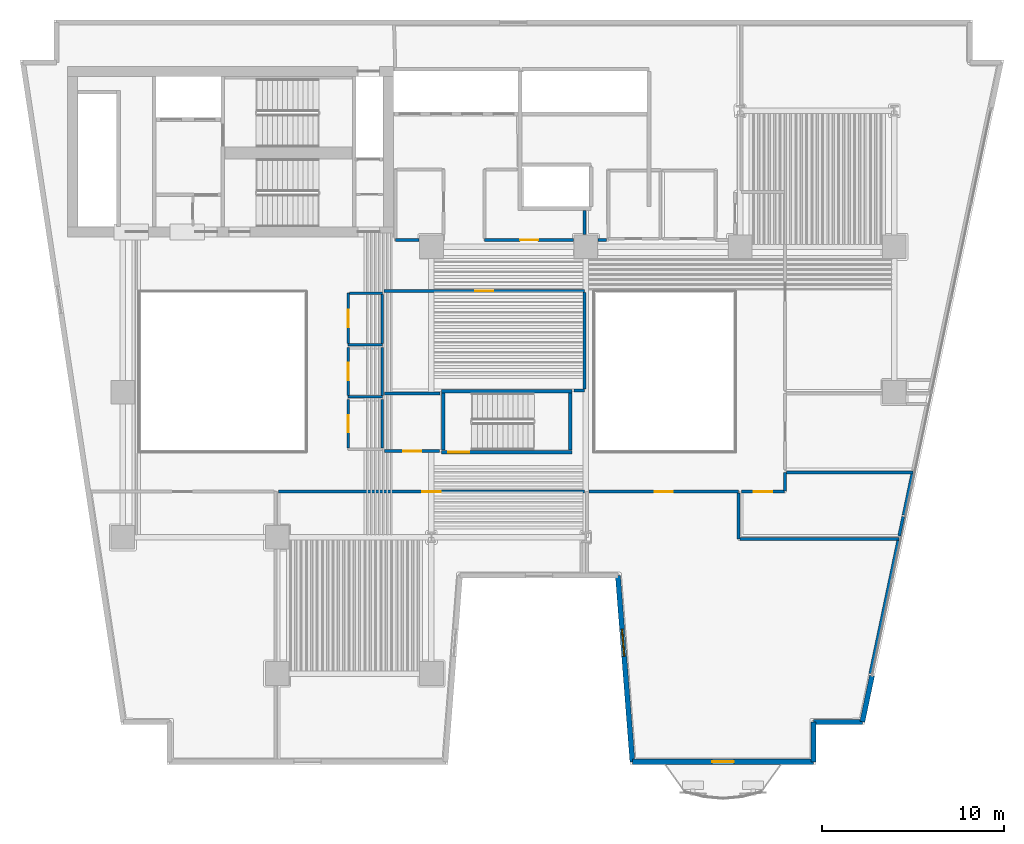
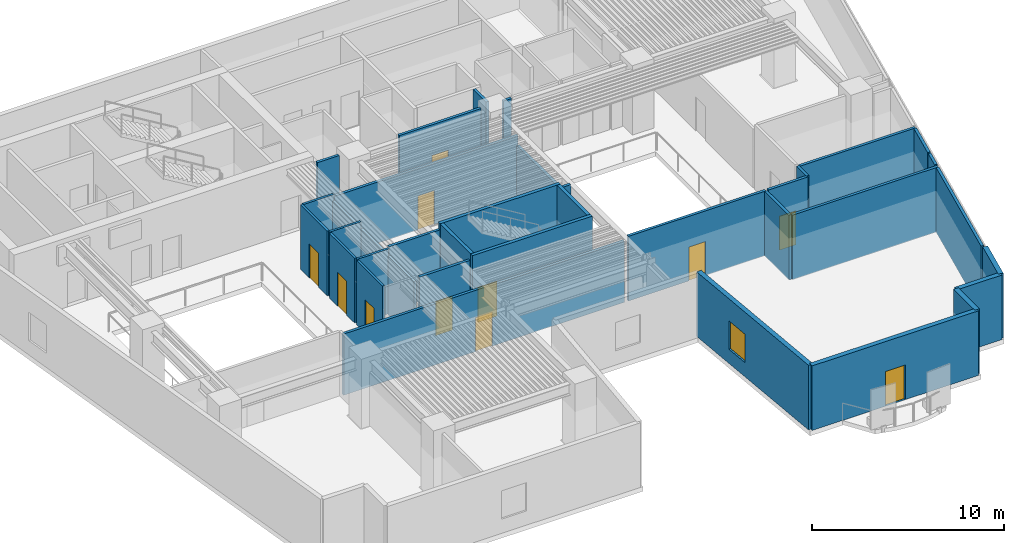
# One storey, part 4 of 12: 37 walls, 11 doors, 1 window, 12 openings.
"""IFC4 building model written with IfcOpenShell, lengths in metres."""

from ifc_helpers import new_model, si_unit, direction, frame, frame_2d, origin, place, context, subcontext, project, spatial, rectangle, extrude, material, layer, layer_set, type_object, element, fill, save


model = new_model("IFC4")

# Units and contexts
model_context = context("Model", 3, precision=1e-05, world=origin(), true_north=direction((0.0, 1.0)))
body_context = subcontext(model_context, "Body", "Model", "MODEL_VIEW")
ifc_project = project(units=[si_unit("LENGTHUNIT", "METRE"), si_unit("AREAUNIT", "SQUARE_METRE"), si_unit("VOLUMEUNIT", "CUBIC_METRE"), si_unit("PLANEANGLEUNIT", "RADIAN"), si_unit("MASSUNIT", "GRAM", prefix="KILO")], contexts=[model_context])

# Site, building, storey
site_placement = place(None, origin())
site = spatial("IfcSite", under=ifc_project, at=site_placement, CompositionType="ELEMENT")
building_placement = place(site_placement, origin())
building = spatial("IfcBuilding", under=site, at=building_placement, Name="Caeloran Harvest Quay", CompositionType="ELEMENT")
storey_placement = place(building_placement, frame((0.0, 0.0, 31.39990234375)))
storey = spatial("IfcBuildingStorey", under=building, at=storey_placement, Name="L07", CompositionType="ELEMENT", Elevation=31.39990234375)

# Walls
ifc_material_1 = material(Name="Precast concrete C50/60", Category="concrete")
ifc_layer_1 = layer(ifc_material_1, 0.280029296875, Name="Precast concrete C50/60")
ifc_layer_set_1 = layer_set([ifc_layer_1], Name="Precast concrete C50/60")
wall_type_1 = type_object("IfcWallType", Name="ENV-WALL-EW-280", PredefinedType="STANDARD", material=ifc_layer_set_1)
wall_1_placement = place(storey_placement, frame((49.77001953125, 7.384521484375, 0.0), z_axis=(0.0, 0.0, 1.0), x_axis=(-0.205551409765, -0.978646319128, 0.0)))
element("IfcWall", 1, at=wall_1_placement, inside=storey, type_object=wall_type_1, Name="L07 Exterior Facade Corner Pier Wall 9B", PredefinedType="STANDARD", context=body_context, shape_type="SweptSolid", body=[
    extrude(rectangle(XDim=2.599853515625, YDim=0.280029296875, at=frame_2d((1.2998046875, 0.0))), origin(), (0.0, 0.0, 1.0), 4.10009765625),
])
wall_2_placement = place(storey_placement, frame((49.235595703125, 4.840087890625, 0.0), z_axis=(0.0, 0.0, 1.0), x_axis=(-1.0, 0.0, 0.0)))
element("IfcWall", 2, at=wall_2_placement, inside=storey, type_object=wall_type_1, Name="L07 Exterior Precast Concrete Facade Wall 10", PredefinedType="STANDARD", context=body_context, shape_type="SweptSolid", body=[
    extrude(rectangle(XDim=2.6884765625, YDim=0.280029296875, at=frame_2d((1.34423828125, 0.0))), origin(), (0.0, 0.0, 1.0), 4.10009765625),
])
wall_3_placement = place(storey_placement, frame((46.547119140625, 4.840087890625, 0.0), z_axis=(0.0, 0.0, 1.0), x_axis=(0.0, -1.0, 0.0)))
element("IfcWall", 3, at=wall_3_placement, inside=storey, type_object=wall_type_1, Name="L07 Exterior Precast Concrete Facade Wall 11", PredefinedType="STANDARD", context=body_context, shape_type="SweptSolid", body=[
    extrude(rectangle(XDim=2.2001953125, YDim=0.280029296875, at=frame_2d((1.10009765625, 0.0))), origin(), (0.0, 0.0, 1.0), 4.10009765625),
])

# Wall, opening, door
wall_4_placement = place(storey_placement, frame((46.547119140625, 2.639892578125, 0.0), z_axis=(0.0, 0.0, 1.0), x_axis=(-1.0, 0.0, 0.0)))
wall_4 = element("IfcWall", 4, at=wall_4_placement, inside=storey, type_object=wall_type_1, Name="L07 Exterior Precast Concrete Facade Wall 12", PredefinedType="STANDARD", context=body_context, shape_type="SweptSolid", body=[
    extrude(rectangle(XDim=9.97705078125, YDim=0.280029296875, at=frame_2d((4.988525390625, 0.0))), origin(), (0.0, 0.0, 1.0), 4.10009765625),
])
opening_1_placement = place(wall_4_placement, frame((4.387939453125, 0.0, 0.0)))
opening_1 = element("IfcOpeningElement", 5, at=opening_1_placement, cuts=wall_4, Name="Opening BD-01", PredefinedType="OPENING", context=body_context, shape_type="SweptSolid", body=[
    extrude(rectangle(XDim=1.199951171875, YDim=2.199951171875, at=frame_2d((0.60009765625, 1.10009765625))), frame((0.0, 0.14990234375, 0.0), z_axis=(0.0, -1.0, 0.0), x_axis=(1.0, 0.0, 0.0)), (0.0, 0.0, 1.0), 0.300048828125),
])
ifc_material_2 = material(Name="Thermally Broken Powder-Coated Aluminium and Safety Glass", Category="aluminium")
door_type_1 = type_object("IfcDoorType", Name="EXTDOOR-BD-01", OperationType="NOTDEFINED", PredefinedType="DOOR", material=ifc_material_2)
door_1_placement = place(opening_1_placement, origin())
door_1 = element("IfcDoor", 6, at=door_1_placement, inside=storey, type_object=door_type_1, Name="L07 Planted Balcony Glazed Access Door", OperationType="SINGLE_SWING_RIGHT", OverallHeight=2.199951171875, OverallWidth=1.199951171875, PredefinedType="DOOR", context=body_context, shape_type="SweptSolid", body=[
    extrude(rectangle(XDim=1.199951171875, YDim=2.199951171875, at=frame_2d((0.60009765625, 1.10009765625))), frame((0.0, 0.02490234375, 0.0), z_axis=(0.0, -1.0, 0.0), x_axis=(1.0, 0.0, 0.0)), (0.0, 0.0, 1.0), 0.050048828125),
])
fill(opening_1, door_1)

# Wall, opening, window
wall_5_placement = place(storey_placement, frame((36.570068359375, 2.639892578125, 0.0), z_axis=(0.0, 0.0, 1.0), x_axis=(-0.077816860153, 0.996967670627, 0.0)))
wall_5 = element("IfcWall", 7, at=wall_5_placement, inside=storey, type_object=wall_type_1, Name="L07 Exterior Precast Concrete Facade Wall 13", PredefinedType="STANDARD", context=body_context, shape_type="SweptSolid", body=[
    extrude(rectangle(XDim=10.28125, YDim=0.280029296875, at=frame_2d((5.140625, 0.0))), origin(), (0.0, 0.0, 1.0), 4.10009765625),
])
opening_2_placement = place(wall_5_placement, frame((5.830078125, 0.0, 0.89990234375)))
opening_2 = element("IfcOpeningElement", 8, at=opening_2_placement, cuts=wall_5, Name="Opening W-03", PredefinedType="OPENING", context=body_context, shape_type="SweptSolid", body=[
    extrude(rectangle(XDim=1.5, YDim=1.800048828125, at=frame_2d((0.75, 0.89990234375))), frame((0.0, 0.14990234375, 0.0), z_axis=(0.0, -1.0, 0.0), x_axis=(1.0, 0.0, 0.0)), (0.0, 0.0, 1.0), 0.300048828125),
])
ifc_material_3 = material(Name="Aluminium-Framed Low-E Laminated Glass", Category="aluminium")
window_type = type_object("IfcWindowType", Name="WIN-W-03", PartitioningType="SINGLE_PANEL", PredefinedType="WINDOW", material=ifc_material_3)
window_placement = place(opening_2_placement, origin())
window = element("IfcWindow", 9, at=window_placement, inside=storey, type_object=window_type, Name="L07 Facade Punched Window W-03", OverallHeight=1.800048828125, OverallWidth=1.5, PartitioningType="SINGLE_PANEL", PredefinedType="WINDOW", context=body_context, shape_type="SweptSolid", body=[
    extrude(rectangle(XDim=1.5, YDim=1.800048828125, at=frame_2d((0.75, 0.89990234375))), frame((0.0, 0.030029296875, 0.0), z_axis=(0.0, -1.0, 0.0), x_axis=(1.0, 0.0, 0.0)), (0.0, 0.0, 1.0), 0.06005859375),
])
fill(opening_2, window)

# Wall
ifc_material_4 = material(Name="Moisture-Resistant Cement-Board Sanitary Partition", Category="gypsum")
ifc_layer_2 = layer(ifc_material_4, 0.139892578125, Name="Moisture-Resistant Cement-Board Sanitary Partition")
ifc_layer_set_2 = layer_set([ifc_layer_2], Name="Moisture-Resistant Cement-Board Sanitary Partition")
wall_type_2 = type_object("IfcWallType", Name="INT-WALL-PW-140", PredefinedType="PARTITIONING", material=ifc_layer_set_2)
wall_6_placement = place(storey_placement, frame((22.800048828125, 25.60009765625, 0.0), z_axis=(0.0, 0.0, 1.0), x_axis=(-1.0, 0.0, 0.0)))
element("IfcWall", 10, at=wall_6_placement, inside=storey, type_object=wall_type_2, Name="L07 Male Washroom WC Partition Wall", PredefinedType="PARTITIONING", context=body_context, shape_type="SweptSolid", body=[
    extrude(rectangle(XDim=1.89013671875, YDim=0.139892578125, at=frame_2d((0.945068359375, 0.0))), origin(), (0.0, 0.0, 1.0), 4.10009765625),
])

# Wall, opening, door
wall_7_placement = place(storey_placement, frame((20.909912109375, 25.675048828125, 0.0), z_axis=(0.0, 0.0, 1.0), x_axis=(0.0, 1.0, 0.0)))
wall_7 = element("IfcWall", 11, at=wall_7_placement, inside=storey, type_object=wall_type_2, Name="L07 Male Washroom WC Partition Wall", PredefinedType="PARTITIONING", context=body_context, shape_type="SweptSolid", body=[
    extrude(rectangle(XDim=2.77490234375, YDim=0.139892578125, at=frame_2d((1.387451171875, 0.0))), origin(), (0.0, 0.0, 1.0), 4.10009765625),
])
opening_3_placement = place(wall_7_placement, frame((0.91259765625, 0.0, 0.0)))
opening_3 = element("IfcOpeningElement", 12, at=opening_3_placement, cuts=wall_7, Name="Opening WC-01", PredefinedType="OPENING", context=body_context, shape_type="SweptSolid", body=[
    extrude(rectangle(XDim=0.949951171875, YDim=2.14990234375, at=frame_2d((0.47509765625, 1.074951171875))), frame((0.0, 0.080078125, 0.0), z_axis=(0.0, -1.0, 0.0), x_axis=(1.0, 0.0, 0.0)), (0.0, 0.0, 1.0), 0.159912109375),
])
ifc_material_5 = material(Name="High-Pressure Laminate Moisture-Resistant Timber", Category="wood")
door_type_2 = type_object("IfcDoorType", Name="INTDOOR-WC-01", OperationType="NOTDEFINED", PredefinedType="DOOR", material=ifc_material_5)
door_2_placement = place(opening_3_placement, origin())
door_2 = element("IfcDoor", 13, at=door_2_placement, inside=storey, type_object=door_type_2, Name="L07 Male Washroom WC Access Door", OperationType="SINGLE_SWING_LEFT", OverallHeight=2.14990234375, OverallWidth=0.949951171875, PredefinedType="DOOR", context=body_context, shape_type="SweptSolid", body=[
    extrude(rectangle(XDim=0.949951171875, YDim=2.14990234375, at=frame_2d((0.47509765625, 1.074951171875))), frame((0.0, 0.02490234375, 0.0), z_axis=(0.0, -1.0, 0.0), x_axis=(1.0, 0.0, 0.0)), (0.0, 0.0, 1.0), 0.050048828125),
])
fill(opening_3, door_2)

# Walls
wall_8_placement = place(storey_placement, frame((20.985107421875, 28.449951171875, 0.0), z_axis=(0.0, 0.0, 1.0), x_axis=(1.0, 0.0, 0.0)))
element("IfcWall", 14, at=wall_8_placement, inside=storey, type_object=wall_type_2, Name="L07 Male Washroom WC Partition Wall", PredefinedType="PARTITIONING", context=body_context, shape_type="SweptSolid", body=[
    extrude(rectangle(XDim=1.81494140625, YDim=0.139892578125, at=frame_2d((0.907470703125, 0.0))), origin(), (0.0, 0.0, 1.0), 4.10009765625),
])
wall_9_placement = place(storey_placement, frame((22.800048828125, 28.375, 0.0), z_axis=(0.0, 0.0, 1.0), x_axis=(0.0, -1.0, 0.0)))
element("IfcWall", 15, at=wall_9_placement, inside=storey, type_object=wall_type_2, Name="L07 Male Washroom WC Partition Wall", PredefinedType="PARTITIONING", context=body_context, shape_type="SweptSolid", body=[
    extrude(rectangle(XDim=2.699951171875, YDim=0.139892578125, at=frame_2d((1.35009765625, 0.0))), origin(), (0.0, 0.0, 1.0), 3.72509765625),
])
wall_10_placement = place(storey_placement, frame((22.800048828125, 22.75, 0.0), z_axis=(0.0, 0.0, 1.0), x_axis=(-1.0, 0.0, 0.0)))
element("IfcWall", 16, at=wall_10_placement, inside=storey, type_object=wall_type_2, Name="L07 Female Washroom WC Partition Wall", PredefinedType="PARTITIONING", context=body_context, shape_type="SweptSolid", body=[
    extrude(rectangle(XDim=1.89013671875, YDim=0.139892578125, at=frame_2d((0.945068359375, 0.0))), origin(), (0.0, 0.0, 1.0), 4.10009765625),
])

# Wall, opening, door
wall_11_placement = place(storey_placement, frame((20.909912109375, 22.824951171875, 0.0), z_axis=(0.0, 0.0, 1.0), x_axis=(0.0, 1.0, 0.0)))
wall_11 = element("IfcWall", 17, at=wall_11_placement, inside=storey, type_object=wall_type_2, Name="L07 Female Washroom WC Partition Wall", PredefinedType="PARTITIONING", context=body_context, shape_type="SweptSolid", body=[
    extrude(rectangle(XDim=2.625, YDim=0.139892578125, at=frame_2d((1.3125, 0.0))), origin(), (0.0, 0.0, 1.0), 4.10009765625),
])
opening_4_placement = place(wall_11_placement, frame((0.83740234375, 0.0, 0.0)))
opening_4 = element("IfcOpeningElement", 18, at=opening_4_placement, cuts=wall_11, Name="Opening WC-01", PredefinedType="OPENING", context=body_context, shape_type="SweptSolid", body=[
    extrude(rectangle(XDim=0.949951171875, YDim=2.14990234375, at=frame_2d((0.47509765625, 1.074951171875))), frame((0.0, 0.080078125, 0.0), z_axis=(0.0, -1.0, 0.0), x_axis=(1.0, 0.0, 0.0)), (0.0, 0.0, 1.0), 0.159912109375),
])
door_3_placement = place(opening_4_placement, origin())
door_3 = element("IfcDoor", 19, at=door_3_placement, inside=storey, type_object=door_type_2, Name="L07 Female Washroom WC Access Door", OperationType="SINGLE_SWING_RIGHT", OverallHeight=2.14990234375, OverallWidth=0.949951171875, PredefinedType="DOOR", context=body_context, shape_type="SweptSolid", body=[
    extrude(rectangle(XDim=0.949951171875, YDim=2.14990234375, at=frame_2d((0.47509765625, 1.074951171875))), frame((0.0, 0.02490234375, 0.0), z_axis=(0.0, -1.0, 0.0), x_axis=(1.0, 0.0, 0.0)), (0.0, 0.0, 1.0), 0.050048828125),
])
fill(opening_4, door_3)

# Wall
wall_12_placement = place(storey_placement, frame((22.800048828125, 25.449951171875, 0.0), z_axis=(0.0, 0.0, 1.0), x_axis=(0.0, -1.0, 0.0)))
element("IfcWall", 20, at=wall_12_placement, inside=storey, type_object=wall_type_2, Name="L07 Female Washroom WC Partition Wall", PredefinedType="PARTITIONING", context=body_context, shape_type="SweptSolid", body=[
    extrude(rectangle(XDim=2.625, YDim=0.139892578125, at=frame_2d((1.3125, 0.0))), origin(), (0.0, 0.0, 1.0), 3.72509765625),
])

# Wall, opening, door
wall_13_placement = place(storey_placement, frame((20.909912109375, 19.925048828125, 0.0), z_axis=(0.0, 0.0, 1.0), x_axis=(0.0, 1.0, 0.0)))
wall_13 = element("IfcWall", 21, at=wall_13_placement, inside=storey, type_object=wall_type_2, Name="L07 Accessible Unisex Washroom WC Partition Wall", PredefinedType="PARTITIONING", context=body_context, shape_type="SweptSolid", body=[
    extrude(rectangle(XDim=2.675048828125, YDim=0.139892578125, at=frame_2d((1.33740234375, 0.0))), origin(), (0.0, 0.0, 1.0), 4.10009765625),
])
opening_5_placement = place(wall_13_placement, frame((0.862548828125, 0.0, 0.0)))
opening_5 = element("IfcOpeningElement", 22, at=opening_5_placement, cuts=wall_13, Name="Opening WC-01", PredefinedType="OPENING", context=body_context, shape_type="SweptSolid", body=[
    extrude(rectangle(XDim=0.949951171875, YDim=2.14990234375, at=frame_2d((0.47509765625, 1.074951171875))), frame((0.0, 0.080078125, 0.0), z_axis=(0.0, -1.0, 0.0), x_axis=(1.0, 0.0, 0.0)), (0.0, 0.0, 1.0), 0.159912109375),
])
door_4_placement = place(opening_5_placement, origin())
door_4 = element("IfcDoor", 23, at=door_4_placement, inside=storey, type_object=door_type_2, Name="L07 Accessible Unisex Washroom WC Access Door", OperationType="SINGLE_SWING_LEFT", OverallHeight=2.14990234375, OverallWidth=0.949951171875, PredefinedType="DOOR", context=body_context, shape_type="SweptSolid", body=[
    extrude(rectangle(XDim=0.949951171875, YDim=2.14990234375, at=frame_2d((0.47509765625, 1.074951171875))), frame((0.0, 0.02490234375, 0.0), z_axis=(0.0, -1.0, 0.0), x_axis=(1.0, 0.0, 0.0)), (0.0, 0.0, 1.0), 0.050048828125),
])
fill(opening_5, door_4)

# Wall
wall_14_placement = place(storey_placement, frame((22.800048828125, 22.60009765625, 0.0), z_axis=(0.0, 0.0, 1.0), x_axis=(0.0, -1.0, 0.0)))
element("IfcWall", 24, at=wall_14_placement, inside=storey, type_object=wall_type_2, Name="L07 Accessible Unisex Washroom WC Partition Wall", PredefinedType="PARTITIONING", context=body_context, shape_type="SweptSolid", body=[
    extrude(rectangle(XDim=2.675048828125, YDim=0.139892578125, at=frame_2d((1.33740234375, 0.0))), origin(), (0.0, 0.0, 1.0), 3.72509765625),
])

# Wall, opening, door
ifc_material_6 = material(Name="Autoclaved Aerated Concrete Blockwork", Category="masonry")
ifc_layer_3 = layer(ifc_material_6, 0.1650390625, Name="Autoclaved Aerated Concrete Blockwork")
ifc_layer_set_3 = layer_set([ifc_layer_3], Name="Autoclaved Aerated Concrete Blockwork")
wall_type_3 = type_object("IfcWallType", Name="INT-WALL-PW-165", PredefinedType="PARTITIONING", material=ifc_layer_set_3)
wall_15_placement = place(storey_placement, frame((34.16748046875, 17.52001953125, 0.0), z_axis=(0.0, 0.0, 1.0), x_axis=(1.0, 0.0, 0.0)))
wall_15 = element("IfcWall", 25, at=wall_15_placement, inside=storey, type_object=wall_type_3, Name="Leafy-Greens Hydroponic Growing Hall Partition Wall", PredefinedType="PARTITIONING", context=body_context, shape_type="SweptSolid", body=[
    extrude(rectangle(XDim=8.25244140625, YDim=0.1650390625, at=frame_2d((4.126220703125, 0.0))), origin(), (0.0, 0.0, 1.0), 4.10009765625),
])
opening_6_placement = place(wall_15_placement, frame((3.626220703125, 0.0, 0.0)))
opening_6 = element("IfcOpeningElement", 26, at=opening_6_placement, cuts=wall_15, Name="Opening ID-01", PredefinedType="OPENING", context=body_context, shape_type="SweptSolid", body=[
    extrude(rectangle(XDim=1.0, YDim=2.14990234375, at=frame_2d((0.5, 1.074951171875))), frame((0.0, 0.092529296875, 0.0), z_axis=(0.0, -1.0, 0.0), x_axis=(1.0, 0.0, 0.0)), (0.0, 0.0, 1.0), 0.18505859375),
])
ifc_material_7 = material(Name="FSC Solid-Core Ash Timber and Acoustic Seal", Category="wood")
door_type_3 = type_object("IfcDoorType", Name="INTDOOR-ID-01", OperationType="NOTDEFINED", PredefinedType="DOOR", material=ifc_material_7)
door_5_placement = place(opening_6_placement, origin())
door_5 = element("IfcDoor", 27, at=door_5_placement, inside=storey, type_object=door_type_3, Name="Leafy-Greens Hydroponic Growing Hall Access Door", OperationType="SINGLE_SWING_RIGHT", OverallHeight=2.14990234375, OverallWidth=1.0, PredefinedType="DOOR", context=body_context, shape_type="SweptSolid", body=[
    extrude(rectangle(XDim=1.0, YDim=2.14990234375, at=frame_2d((0.5, 1.074951171875))), frame((0.0, 0.02490234375, 0.0), z_axis=(0.0, -1.0, 0.0), x_axis=(1.0, 0.0, 0.0)), (0.0, 0.0, 1.0), 0.050048828125),
])
fill(opening_6, door_5)

# Walls
wall_16_placement = place(storey_placement, frame((42.419921875, 17.4326171875, 0.0), z_axis=(0.0, 0.0, 1.0), x_axis=(0.0, -1.0, 0.0)))
element("IfcWall", 28, at=wall_16_placement, inside=storey, type_object=wall_type_3, Name="Leafy-Greens Hydroponic Growing Hall Partition Wall", PredefinedType="PARTITIONING", context=body_context, shape_type="SweptSolid", body=[
    extrude(rectangle(XDim=2.5126953125, YDim=0.1650390625, at=frame_2d((1.25634765625, 0.0))), origin(), (0.0, 0.0, 1.0), 4.10009765625),
])
wall_17_placement = place(storey_placement, frame((42.507568359375, 14.919921875, 0.0), z_axis=(0.0, 0.0, 1.0), x_axis=(1.0, 0.0, 0.0)))
element("IfcWall", 29, at=wall_17_placement, inside=storey, type_object=wall_type_3, Name="Leafy-Greens Hydroponic Growing Hall Partition Wall", PredefinedType="PARTITIONING", context=body_context, shape_type="SweptSolid", body=[
    extrude(rectangle(XDim=8.73828125, YDim=0.1650390625, at=frame_2d((4.369140625, 0.0))), origin(), (0.0, 0.0, 1.0), 4.10009765625),
])
wall_18_placement = place(storey_placement, frame((51.211669921875, 14.83251953125, 0.0), z_axis=(0.0, 0.0, 1.0), x_axis=(-0.205558750788, -0.978644777217, 0.0)))
element("IfcWall", 30, at=wall_18_placement, inside=storey, type_object=wall_type_3, Name="Leafy-Greens Hydroponic Growing Hall Partition Wall", PredefinedType="PARTITIONING", context=body_context, shape_type="SweptSolid", body=[
    extrude(rectangle(XDim=7.49072265625, YDim=0.1650390625, at=frame_2d((3.745361328125, 0.0))), origin(), (0.0, 0.0, 1.0), 4.10009765625),
])

# Wall, opening, door
wall_19_placement = place(storey_placement, frame((17.080078125, 17.52001953125, 0.0), z_axis=(0.0, 0.0, 1.0), x_axis=(1.0, 0.0, 0.0)))
wall_19 = element("IfcWall", 31, at=wall_19_placement, inside=storey, type_object=wall_type_3, Name="Seedling Nursery Room Partition Wall", PredefinedType="PARTITIONING", context=body_context, shape_type="SweptSolid", body=[
    extrude(rectangle(XDim=16.83984375, YDim=0.1650390625, at=frame_2d((8.419921875, 0.0))), origin(), (0.0, 0.0, 1.0), 3.885009765625),
])
opening_7_placement = place(wall_19_placement, frame((7.919921875, 0.0, 0.0)))
opening_7 = element("IfcOpeningElement", 32, at=opening_7_placement, cuts=wall_19, Name="Opening ID-01", PredefinedType="OPENING", context=body_context, shape_type="SweptSolid", body=[
    extrude(rectangle(XDim=1.0, YDim=2.14990234375, at=frame_2d((0.5, 1.074951171875))), frame((0.0, 0.092529296875, 0.0), z_axis=(0.0, -1.0, 0.0), x_axis=(1.0, 0.0, 0.0)), (0.0, 0.0, 1.0), 0.18505859375),
])
door_6_placement = place(opening_7_placement, origin())
door_6 = element("IfcDoor", 33, at=door_6_placement, inside=storey, type_object=door_type_3, Name="Seedling Nursery Room Access Door", OperationType="SINGLE_SWING_RIGHT", OverallHeight=2.14990234375, OverallWidth=1.0, PredefinedType="DOOR", context=body_context, shape_type="SweptSolid", body=[
    extrude(rectangle(XDim=1.0, YDim=2.14990234375, at=frame_2d((0.5, 1.074951171875))), frame((0.0, 0.02490234375, 0.0), z_axis=(0.0, -1.0, 0.0), x_axis=(1.0, 0.0, 0.0)), (0.0, 0.0, 1.0), 0.050048828125),
])
fill(opening_7, door_6)

# Walls
wall_20_placement = place(storey_placement, frame((44.97998046875, 17.550048828125, 0.0), z_axis=(0.0, 0.0, 1.0), x_axis=(0.0, 1.0, 0.0)))
element("IfcWall", 34, at=wall_20_placement, inside=storey, type_object=wall_type_3, Name="Nutrient QA Laboratory Partition Wall", PredefinedType="PARTITIONING", context=body_context, shape_type="SweptSolid", body=[
    extrude(rectangle(XDim=1.02001953125, YDim=0.1650390625, at=frame_2d((0.510009765625, 0.0))), origin(), (0.0, 0.0, 1.0), 4.10009765625),
])
wall_21_placement = place(storey_placement, frame((45.0673828125, 18.570068359375, 0.0), z_axis=(0.0, 0.0, 1.0), x_axis=(1.0, 0.0, 0.0)))
element("IfcWall", 35, at=wall_21_placement, inside=storey, type_object=wall_type_3, Name="Nutrient QA Laboratory Partition Wall", PredefinedType="PARTITIONING", context=body_context, shape_type="SweptSolid", body=[
    extrude(rectangle(XDim=6.945068359375, YDim=0.1650390625, at=frame_2d((3.47265625, 0.0))), origin(), (0.0, 0.0, 1.0), 4.10009765625),
])
wall_22_placement = place(storey_placement, frame((51.978515625, 18.482421875, 0.0), z_axis=(0.0, 0.0, 1.0), x_axis=(-0.205352569868, -0.978688061666, 0.0)))
element("IfcWall", 36, at=wall_22_placement, inside=storey, type_object=wall_type_3, Name="Nutrient QA Laboratory Partition Wall", PredefinedType="PARTITIONING", context=body_context, shape_type="SweptSolid", body=[
    extrude(rectangle(XDim=2.300537109375, YDim=0.1650390625, at=frame_2d((1.150390625, 0.0))), origin(), (0.0, 0.0, 1.0), 4.10009765625),
])
wall_23_placement = place(storey_placement, frame((51.486572265625, 16.138427734375, 0.0), z_axis=(0.0, 0.0, 1.0), x_axis=(-0.205873957853, -0.978578516767, 0.0)))
element("IfcWall", 37, at=wall_23_placement, inside=storey, type_object=wall_type_3, Name="Nutrient QA Laboratory Partition Wall", PredefinedType="PARTITIONING", context=body_context, shape_type="SweptSolid", body=[
    extrude(rectangle(XDim=1.08154296875, YDim=0.1650390625, at=frame_2d((0.540771484375, 0.0))), origin(), (0.0, 0.0, 1.0), 4.10009765625),
])

# Wall, opening, door
wall_24_placement = place(storey_placement, frame((42.580078125, 17.52001953125, 0.0), z_axis=(0.0, 0.0, 1.0), x_axis=(1.0, 0.0, 0.0)))
wall_24 = element("IfcWall", 38, at=wall_24_placement, inside=storey, type_object=wall_type_3, Name="Nutrient QA Laboratory Partition Wall", PredefinedType="PARTITIONING", context=body_context, shape_type="SweptSolid", body=[
    extrude(rectangle(XDim=2.369873046875, YDim=0.1650390625, at=frame_2d((1.18505859375, 0.0))), origin(), (0.0, 0.0, 1.0), 4.10009765625),
])
opening_8_placement = place(wall_24_placement, frame((0.68505859375, 0.0, 0.0)))
opening_8 = element("IfcOpeningElement", 39, at=opening_8_placement, cuts=wall_24, Name="Opening ID-01", PredefinedType="OPENING", context=body_context, shape_type="SweptSolid", body=[
    extrude(rectangle(XDim=1.0, YDim=2.14990234375, at=frame_2d((0.5, 1.074951171875))), frame((0.0, 0.092529296875, 0.0), z_axis=(0.0, -1.0, 0.0), x_axis=(1.0, 0.0, 0.0)), (0.0, 0.0, 1.0), 0.18505859375),
])
door_7_placement = place(opening_8_placement, origin())
door_7 = element("IfcDoor", 40, at=door_7_placement, inside=storey, type_object=door_type_3, Name="Nutrient QA Laboratory Access Door", OperationType="SINGLE_SWING_LEFT", OverallHeight=2.14990234375, OverallWidth=1.0, PredefinedType="DOOR", context=body_context, shape_type="SweptSolid", body=[
    extrude(rectangle(XDim=1.0, YDim=2.14990234375, at=frame_2d((0.5, 1.074951171875))), frame((0.0, 0.02490234375, 0.0), z_axis=(0.0, -1.0, 0.0), x_axis=(1.0, 0.0, 0.0)), (0.0, 0.0, 1.0), 0.050048828125),
])
fill(opening_8, door_7)

wall_25_placement = place(storey_placement, frame((25.95556640625, 19.75, 0.0), z_axis=(0.0, 0.0, 1.0), x_axis=(-1.0, 0.0, 0.0)))
wall_25 = element("IfcWall", 41, at=wall_25_placement, inside=storey, type_object=wall_type_3, Name="Agronomist Office Partition Wall", PredefinedType="PARTITIONING", context=body_context, shape_type="SweptSolid", body=[
    extrude(rectangle(XDim=3.045654296875, YDim=0.1650390625, at=frame_2d((1.52294921875, 0.0))), origin(), (0.0, 0.0, 1.0), 4.10009765625),
])
opening_9_placement = place(wall_25_placement, frame((1.022705078125, 0.0, 0.0)))
opening_9 = element("IfcOpeningElement", 42, at=opening_9_placement, cuts=wall_25, Name="Opening ID-01", PredefinedType="OPENING", context=body_context, shape_type="SweptSolid", body=[
    extrude(rectangle(XDim=1.0, YDim=2.14990234375, at=frame_2d((0.5, 1.074951171875))), frame((0.0, 0.092529296875, 0.0), z_axis=(0.0, -1.0, 0.0), x_axis=(1.0, 0.0, 0.0)), (0.0, 0.0, 1.0), 0.18505859375),
])
door_8_placement = place(opening_9_placement, origin())
door_8 = element("IfcDoor", 43, at=door_8_placement, inside=storey, type_object=door_type_3, Name="Agronomist Office Access Door", OperationType="SINGLE_SWING_LEFT", OverallHeight=2.14990234375, OverallWidth=1.0, PredefinedType="DOOR", context=body_context, shape_type="SweptSolid", body=[
    extrude(rectangle(XDim=1.0, YDim=2.14990234375, at=frame_2d((0.5, 1.074951171875))), frame((0.0, 0.02490234375, 0.0), z_axis=(0.0, -1.0, 0.0), x_axis=(1.0, 0.0, 0.0)), (0.0, 0.0, 1.0), 0.050048828125),
])
fill(opening_9, door_8)

# Walls
wall_26_placement = place(storey_placement, frame((22.909912109375, 22.919921875, 0.0), z_axis=(0.0, 0.0, 1.0), x_axis=(1.0, 0.0, 0.0)))
element("IfcWall", 44, at=wall_26_placement, inside=storey, type_object=wall_type_3, Name="Agronomist Office Partition Wall", PredefinedType="PARTITIONING", context=body_context, shape_type="SweptSolid", body=[
    extrude(rectangle(XDim=3.050537109375, YDim=0.1650390625, at=frame_2d((1.525390625, 0.0))), origin(), (0.0, 0.0, 1.0), 4.10009765625),
])
wall_27_placement = place(storey_placement, frame((33.919921875, 23.080078125, 0.0), z_axis=(0.0, 0.0, 1.0), x_axis=(-1.0, 0.0, 0.0)))
element("IfcWall", 45, at=wall_27_placement, inside=storey, type_object=wall_type_3, Name="Staff Tea Lounge Partition Wall", PredefinedType="PARTITIONING", context=body_context, shape_type="SweptSolid", body=[
    extrude(rectangle(XDim=0.575439453125, YDim=0.1650390625, at=frame_2d((0.28759765625, 0.0))), origin(), (0.0, 0.0, 1.0), 4.10009765625),
])

# Wall, opening, door
wall_28_placement = place(storey_placement, frame((22.889892578125, 28.570068359375, 0.0), z_axis=(0.0, 0.0, 1.0), x_axis=(1.0, 0.0, 0.0)))
wall_28 = element("IfcWall", 46, at=wall_28_placement, inside=storey, type_object=wall_type_3, Name="Staff Tea Lounge Partition Wall", PredefinedType="PARTITIONING", context=body_context, shape_type="SweptSolid", body=[
    extrude(rectangle(XDim=11.030029296875, YDim=0.1650390625, at=frame_2d((5.51513671875, 0.0))), origin(), (0.0, 0.0, 1.0), 3.885009765625),
])
opening_10_placement = place(wall_28_placement, frame((5.014892578125, 0.0, 0.0)))
opening_10 = element("IfcOpeningElement", 47, at=opening_10_placement, cuts=wall_28, Name="Opening ID-01", PredefinedType="OPENING", context=body_context, shape_type="SweptSolid", body=[
    extrude(rectangle(XDim=1.0, YDim=2.14990234375, at=frame_2d((0.5, 1.074951171875))), frame((0.0, 0.092529296875, 0.0), z_axis=(0.0, -1.0, 0.0), x_axis=(1.0, 0.0, 0.0)), (0.0, 0.0, 1.0), 0.18505859375),
])
door_9_placement = place(opening_10_placement, origin())
door_9 = element("IfcDoor", 48, at=door_9_placement, inside=storey, type_object=door_type_3, Name="Staff Tea Lounge Access Door", OperationType="SINGLE_SWING_RIGHT", OverallHeight=2.14990234375, OverallWidth=1.0, PredefinedType="DOOR", context=body_context, shape_type="SweptSolid", body=[
    extrude(rectangle(XDim=1.0, YDim=2.14990234375, at=frame_2d((0.5, 1.074951171875))), frame((0.0, 0.02490234375, 0.0), z_axis=(0.0, -1.0, 0.0), x_axis=(1.0, 0.0, 0.0)), (0.0, 0.0, 1.0), 0.050048828125),
])
fill(opening_10, door_9)

# Walls
wall_29_placement = place(storey_placement, frame((33.919921875, 28.482421875, 0.0), z_axis=(0.0, 0.0, 1.0), x_axis=(0.0, -1.0, 0.0)))
element("IfcWall", 49, at=wall_29_placement, inside=storey, type_object=wall_type_3, Name="Staff Tea Lounge Partition Wall", PredefinedType="PARTITIONING", context=body_context, shape_type="SweptSolid", body=[
    extrude(rectangle(XDim=5.31494140625, YDim=0.1650390625, at=frame_2d((2.657470703125, 0.0))), origin(), (0.0, 0.0, 1.0), 3.28515625),
])
wall_30_placement = place(storey_placement, frame((33.919921875, 33.014892578125, 0.0), z_axis=(0.0, 0.0, 1.0), x_axis=(0.0, -1.0, 0.0)))
element("IfcWall", 50, at=wall_30_placement, inside=storey, type_object=wall_type_3, Name="Equipment Sterilisation Room Partition Wall", PredefinedType="PARTITIONING", context=body_context, shape_type="SweptSolid", body=[
    extrude(rectangle(XDim=1.33984375, YDim=0.1650390625, at=frame_2d((0.669921875, 0.0))), origin(), (0.0, 0.0, 1.0), 4.10009765625),
])

# Wall, opening, door
wall_31_placement = place(storey_placement, frame((33.324951171875, 31.3798828125, 0.0), z_axis=(0.0, 0.0, 1.0), x_axis=(-1.0, 0.0, 0.0)))
wall_31 = element("IfcWall", 51, at=wall_31_placement, inside=storey, type_object=wall_type_3, Name="Equipment Sterilisation Room Partition Wall", PredefinedType="PARTITIONING", context=body_context, shape_type="SweptSolid", body=[
    extrude(rectangle(XDim=4.89501953125, YDim=0.1650390625, at=frame_2d((2.447509765625, 0.0))), origin(), (0.0, 0.0, 1.0), 4.10009765625),
])
opening_11_placement = place(wall_31_placement, frame((1.947509765625, 0.0, 0.0)))
opening_11 = element("IfcOpeningElement", 52, at=opening_11_placement, cuts=wall_31, Name="Opening ID-01", PredefinedType="OPENING", context=body_context, shape_type="SweptSolid", body=[
    extrude(rectangle(XDim=1.0, YDim=2.14990234375, at=frame_2d((0.5, 1.074951171875))), frame((0.0, 0.092529296875, 0.0), z_axis=(0.0, -1.0, 0.0), x_axis=(1.0, 0.0, 0.0)), (0.0, 0.0, 1.0), 0.18505859375),
])
door_10_placement = place(opening_11_placement, origin())
door_10 = element("IfcDoor", 53, at=door_10_placement, inside=storey, type_object=door_type_3, Name="Equipment Sterilisation Room Access Door", OperationType="SINGLE_SWING_LEFT", OverallHeight=2.14990234375, OverallWidth=1.0, PredefinedType="DOOR", context=body_context, shape_type="SweptSolid", body=[
    extrude(rectangle(XDim=1.0, YDim=2.14990234375, at=frame_2d((0.5, 1.074951171875))), frame((0.0, 0.02490234375, 0.0), z_axis=(0.0, -1.0, 0.0), x_axis=(1.0, 0.0, 0.0)), (0.0, 0.0, 1.0), 0.050048828125),
])
fill(opening_11, door_10)

# Walls
wall_32_placement = place(storey_placement, frame((24.824951171875, 31.3798828125, 0.0), z_axis=(0.0, 0.0, 1.0), x_axis=(-1.0, 0.0, 0.0)))
element("IfcWall", 54, at=wall_32_placement, inside=storey, type_object=wall_type_3, Name="Leafy-Greens Hydroponic Growing Hall 9 Partition Wall", PredefinedType="PARTITIONING", context=body_context, shape_type="SweptSolid", body=[
    extrude(rectangle(XDim=1.31494140625, YDim=0.1650390625, at=frame_2d((0.657470703125, 0.0))), origin(), (0.0, 0.0, 1.0), 4.10009765625),
])
wall_33_placement = place(storey_placement, frame((35.155517578125, 31.3798828125, 0.0), z_axis=(0.0, 0.0, 1.0), x_axis=(-1.0, 0.0, 0.0)))
element("IfcWall", 55, at=wall_33_placement, inside=storey, type_object=wall_type_3, Name="Seedling Nursery Room 11 Partition Wall", PredefinedType="PARTITIONING", context=body_context, shape_type="SweptSolid", body=[
    extrude(rectangle(XDim=0.48046875, YDim=0.1650390625, at=frame_2d((0.240234375, 0.0))), origin(), (0.0, 0.0, 1.0), 4.10009765625),
])

# Wall, opening, door
ifc_material_8 = material(Name="Concrete C60/75", Category="concrete")
ifc_layer_4 = layer(ifc_material_8, 0.199951171875, Name="Concrete C60/75")
ifc_layer_set_4 = layer_set([ifc_layer_4], Name="Concrete C60/75")
wall_type_4 = type_object("IfcWallType", Name="STR-WALL-SW-200", PredefinedType="SHEAR", material=ifc_layer_set_4)
wall_34_placement = place(storey_placement, frame((26.050048828125, 19.699951171875, 0.0), z_axis=(0.0, 0.0, 1.0), x_axis=(1.0, 0.0, 0.0)))
wall_34 = element("IfcWall", 56, at=wall_34_placement, inside=storey, type_object=wall_type_4, Name="L07 Stair ST-W1 S RC Shaft Shear Wall", PredefinedType="SHEAR", context=body_context, shape_type="SweptSolid", body=[
    extrude(rectangle(XDim=7.199951171875, YDim=0.199951171875, at=frame_2d((3.60009765625, 0.0))), origin(), (0.0, 0.0, 1.0), 4.400146484375),
])
opening_12_placement = place(wall_34_placement, frame((0.3798828125, 0.0, 0.0)))
opening_12 = element("IfcOpeningElement", 57, at=opening_12_placement, cuts=wall_34, Name="Opening SD-01", PredefinedType="OPENING", context=body_context, shape_type="SweptSolid", body=[
    extrude(rectangle(XDim=1.14990234375, YDim=2.199951171875, at=frame_2d((0.574951171875, 1.10009765625))), frame((0.0, 0.10986328125, 0.0), z_axis=(0.0, -1.0, 0.0), x_axis=(1.0, 0.0, 0.0)), (0.0, 0.0, 1.0), 0.219970703125),
])
ifc_material_9 = material(Name="Steel", Category="steel")
door_type_4 = type_object("IfcDoorType", Name="INTDOOR-SD-01", OperationType="NOTDEFINED", PredefinedType="DOOR", material=ifc_material_9)
door_11_placement = place(opening_12_placement, origin())
door_11 = element("IfcDoor", 58, at=door_11_placement, inside=storey, type_object=door_type_4, Name="L07 Protected Exit Stair ST-W1 Fire Door", OperationType="SINGLE_SWING_RIGHT", OverallHeight=2.199951171875, OverallWidth=1.14990234375, PredefinedType="DOOR", context=body_context, shape_type="SweptSolid", body=[
    extrude(rectangle(XDim=1.14990234375, YDim=2.199951171875, at=frame_2d((0.574951171875, 1.10009765625))), frame((0.0, 0.02490234375, 0.0), z_axis=(0.0, -1.0, 0.0), x_axis=(1.0, 0.0, 0.0)), (0.0, 0.0, 1.0), 0.050048828125),
])
fill(opening_12, door_11)

# Walls
wall_35_placement = place(storey_placement, frame((26.050048828125, 23.050048828125, 0.0), z_axis=(0.0, 0.0, 1.0), x_axis=(1.0, 0.0, 0.0)))
element("IfcWall", 59, at=wall_35_placement, inside=storey, type_object=wall_type_4, Name="L07 Stair ST-W1 N RC Shaft Shear Wall", PredefinedType="SHEAR", context=body_context, shape_type="SweptSolid", body=[
    extrude(rectangle(XDim=7.199951171875, YDim=0.199951171875, at=frame_2d((3.60009765625, 0.0))), origin(), (0.0, 0.0, 1.0), 4.400146484375),
])
for number, where, z_axis, x_axis, name in (
    (60, (26.14990234375, 19.81005859375, 0.0), (0.0, 0.0, 1.0), (0.0, 1.0, 0.0), "L07 Stair ST-W1 W RC Shaft Shear Wall"),
    (61, (33.14990234375, 19.81005859375, 0.0), (0.0, 0.0, 1.0), (0.0, 1.0, 0.0), "L07 Stair ST-W1 E RC Shaft Shear Wall"),
):
    element("IfcWall", number, at=place(storey_placement, frame(where, z_axis=z_axis, x_axis=x_axis)), inside=storey, type_object=wall_type_4, Name=name, PredefinedType="SHEAR", context=body_context, shape_type="SweptSolid", body=[
        extrude(rectangle(XDim=3.1298828125, YDim=0.199951171875, at=frame_2d((1.56494140625, 0.0))), origin(), (0.0, 0.0, 1.0), 4.400146484375),
    ])

save(model, "model.ifc")
